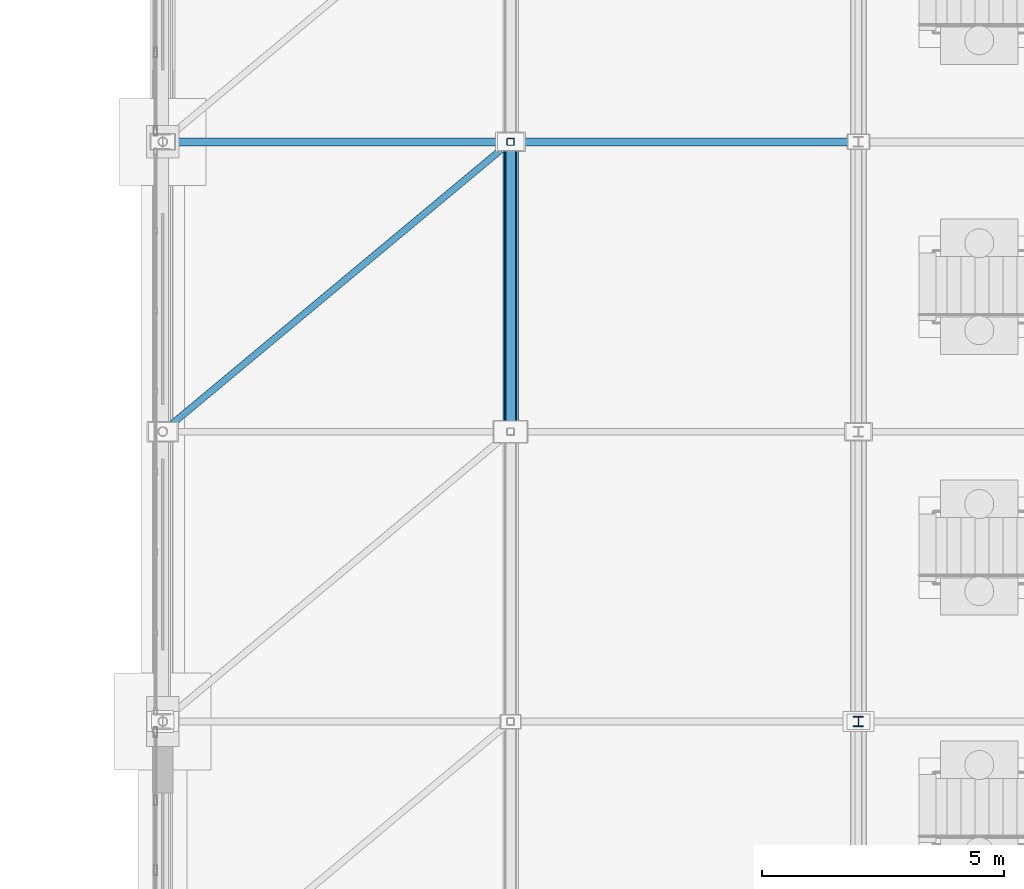
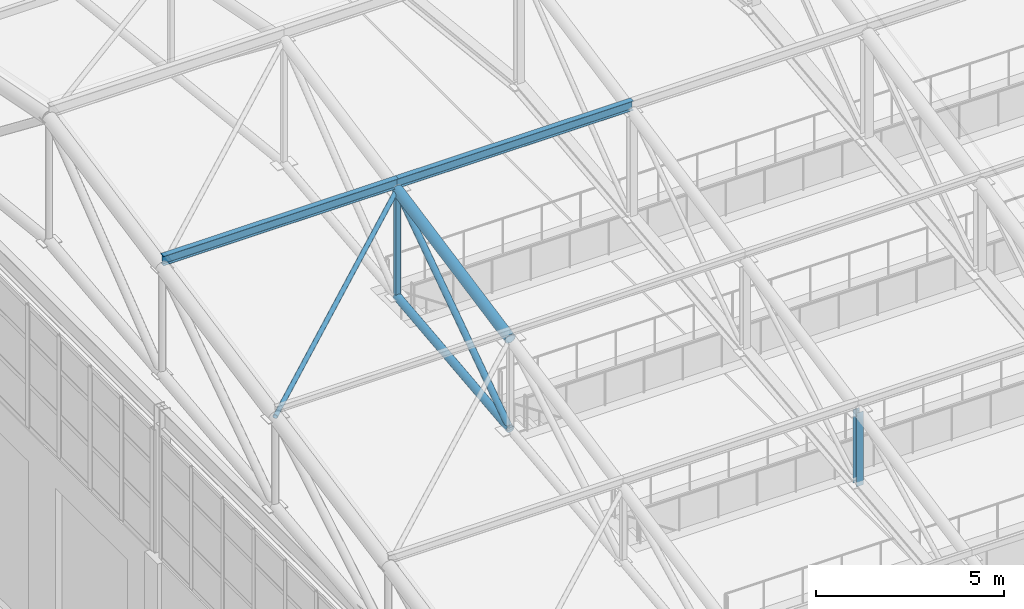
# One storey, part 118 of 293: 8 members.
"""IFC4 building model written with IfcOpenShell, lengths in metres."""

from ifc_helpers import new_model, si_unit, direction, frame, origin, origin_2d, place, context, subcontext, project, spatial, hollow_rectangle, hollow_circle, i_section, extrude, material, material_profile, profile_set, type_object, element, save


model = new_model("IFC4")

# Units and contexts
model_context = context("Model", 3, precision=1e-05, world=origin(), true_north=direction((0.0, 1.0)))
body_context = subcontext(model_context, "Body", "Model", "MODEL_VIEW")
ifc_project = project(units=[si_unit("LENGTHUNIT", "METRE"), si_unit("AREAUNIT", "SQUARE_METRE"), si_unit("VOLUMEUNIT", "CUBIC_METRE"), si_unit("PLANEANGLEUNIT", "RADIAN"), si_unit("MASSUNIT", "GRAM", prefix="KILO")], contexts=[model_context])

# Site, building, storey
site_placement = place(None, origin())
site = spatial("IfcSite", under=ifc_project, at=site_placement, CompositionType="ELEMENT")
building_placement = place(site_placement, origin())
building = spatial("IfcBuilding", under=site, at=building_placement, Name="Kemerveld Promenade Tramway Depot", CompositionType="ELEMENT")
storey_placement = place(building_placement, origin())
storey = spatial("IfcBuildingStorey", under=building, at=storey_placement, Name="L00", CompositionType="ELEMENT", Elevation=0.0)

# Members
ifc_material = material(Name="Steel S355", Category="steel")
ifc_material_profile_1 = material_profile(ifc_material, i_section(OverallWidth=0.165771484375, OverallDepth=0.306640625, WebThickness=0.006591796875, FlangeThickness=0.01171875, FilletRadius=0.0087890625, at=origin_2d()), Name="305x165x46 UB")
ifc_profile_set_1 = profile_set([ifc_material_profile_1], Name="Steel S355")
member_type_1 = type_object("IfcMemberType", Name="MB-M06", PredefinedType="PURLIN", material=ifc_profile_set_1)
for number, where, z_axis, x_axis, name in (
    (1, (36.0, 108.0, 16.14501953125), (1.0, 0.0, 0.0), (0.0, 1.0, 0.0), "PUR-V1-04-06"),
    (2, (43.199951171875, 108.0, 16.14501953125), (1.0, 0.0, 0.0), (0.0, 1.0, 0.0), "PUR-V1-04-07"),
):
    element("IfcMember", number, at=place(storey_placement, frame(where, z_axis=z_axis, x_axis=x_axis)), inside=storey, type_object=member_type_1, Name=name, PredefinedType="PURLIN", context=body_context, shape_type="SweptSolid", body=[
        extrude(i_section(OverallWidth=0.165771484375, OverallDepth=0.306640625, WebThickness=0.006591796875, FlangeThickness=0.01171875, FilletRadius=0.0087890625, at=origin_2d()), origin(), (0.0, 0.0, 1.0), 7.199951171875),
    ])
ifc_material_profile_2 = material_profile(ifc_material, hollow_circle(Radius=0.096923828125, WallThickness=0.008056640625, at=origin_2d()), Name="193.7x8.0 CHS")
ifc_profile_set_2 = profile_set([ifc_material_profile_2], Name="Steel S355")
member_type_2 = type_object("IfcMemberType", Name="MB-TB2", PredefinedType="BRACE", material=ifc_profile_set_2)
member_1_placement = place(storey_placement, frame((43.199951171875, 102.0, 11.780029296875), z_axis=(0.0, 0.824370638462, 0.566050395673), x_axis=(-1.0, 0.0, 0.0)))
element("IfcMember", 3, at=member_1_placement, inside=storey, type_object=member_type_2, Name="TR-07-DG-04", PredefinedType="BRACE", context=body_context, shape_type="SweptSolid", body=[
    extrude(hollow_circle(Radius=0.096923828125, WallThickness=0.008056640625, at=origin_2d()), origin(), (0.0, 0.0, 1.0), 7.2783203125),
])
ifc_material_profile_3 = material_profile(ifc_material, hollow_circle(Radius=0.06982421875, WallThickness=0.00634765625, at=origin_2d()), Name="139.7x6.3 CHS")
ifc_profile_set_3 = profile_set([ifc_material_profile_3], Name="Steel S355")
member_type_3 = type_object("IfcMemberType", Name="MB-TB3", PredefinedType="BRACE", material=ifc_profile_set_3)
member_2_placement = place(storey_placement, frame((36.0, 102.0, 14.699951171875), z_axis=(0.761999094998, 0.635003552225, 0.126995542773), x_axis=(-0.640186961885, 0.768219144407, 0.0)))
element("IfcMember", 4, at=member_2_placement, inside=storey, type_object=member_type_3, Name="RBR-V1-03-06", PredefinedType="BRACE", context=body_context, shape_type="SweptSolid", body=[
    extrude(hollow_circle(Radius=0.06982421875, WallThickness=0.00634765625, at=origin_2d()), origin(), (0.0, 0.0, 1.0), 9.44873046875),
])
ifc_material_profile_4 = material_profile(ifc_material, hollow_circle(Radius=0.161865234375, WallThickness=0.012451171875, at=origin_2d()), Name="323.9x12.5 CHS")
ifc_profile_set_4 = profile_set([ifc_material_profile_4], Name="Steel S355")
member_type_4 = type_object("IfcMemberType", Name="MB-TC2", PredefinedType="CHORD", material=ifc_profile_set_4)
member_3_placement = place(storey_placement, frame((43.199951171875, 102.0, 14.699951171875), z_axis=(0.0, 0.980582210276, 0.196108462057), x_axis=(-1.0, 0.0, 0.0)))
element("IfcMember", 5, at=member_3_placement, inside=storey, type_object=member_type_4, Name="TR-07-TC-04", PredefinedType="CHORD", context=body_context, shape_type="SweptSolid", body=[
    extrude(hollow_circle(Radius=0.161865234375, WallThickness=0.012451171875, at=origin_2d()), origin(), (0.0, 0.0, 1.0), 6.118896484375),
])
ifc_material_profile_5 = material_profile(ifc_material, hollow_circle(Radius=0.122314453125, WallThickness=0.010009765625, at=origin_2d()), Name="244.5x10.0 CHS")
ifc_profile_set_5 = profile_set([ifc_material_profile_5], Name="Steel S355")
member_type_5 = type_object("IfcMemberType", Name="MB-TC3", PredefinedType="CHORD", material=ifc_profile_set_5)
member_4_placement = place(storey_placement, frame((43.199951171875, 102.0, 11.780029296875), z_axis=(0.0, 0.994005938353, 0.109326092585), x_axis=(-1.0, 0.0, 0.0)))
element("IfcMember", 6, at=member_4_placement, inside=storey, type_object=member_type_5, Name="TR-07-BC-04", PredefinedType="CHORD", context=body_context, shape_type="SweptSolid", body=[
    extrude(hollow_circle(Radius=0.122314453125, WallThickness=0.010009765625, at=origin_2d()), origin(), (0.0, 0.0, 1.0), 6.0361328125),
])
ifc_material_profile_6 = material_profile(ifc_material, hollow_rectangle(XDim=0.14990234375, YDim=0.14990234375, WallThickness=0.008056640625, InnerFilletRadius=0.00390625, OuterFilletRadius=0.011962890625, at=origin_2d()), Name="150x150x8.0 SHS")
ifc_profile_set_6 = profile_set([ifc_material_profile_6], Name="Steel S355")
member_type_6 = type_object("IfcMemberType", Name="MB-TP2", PredefinedType="POST", material=ifc_profile_set_6)
member_5_placement = place(storey_placement, frame((43.199951171875, 108.0, 12.43994140625), z_axis=(0.0, 0.0, 1.0), x_axis=(1.0, 0.0, 0.0)))
element("IfcMember", 7, at=member_5_placement, inside=storey, type_object=member_type_6, Name="TR-07-VT-04", PredefinedType="POST", context=body_context, shape_type="SweptSolid", body=[
    extrude(hollow_rectangle(XDim=0.14990234375, YDim=0.14990234375, WallThickness=0.008056640625, InnerFilletRadius=0.00390625, OuterFilletRadius=0.011962890625, at=origin_2d()), origin(), (0.0, 0.0, 1.0), 3.4599609375),
])
ifc_material_profile_7 = material_profile(ifc_material, i_section(OverallWidth=0.205810546875, OverallDepth=0.209716796875, WebThickness=0.009521484375, FlangeThickness=0.01416015625, FilletRadius=0.01025390625, at=origin_2d()), Name="203x203x60 UC")
ifc_profile_set_7 = profile_set([ifc_material_profile_7], Name="Steel S355")
member_type_7 = type_object("IfcMemberType", Name="MB-TP3", PredefinedType="POST", material=ifc_profile_set_7)
member_6_placement = place(storey_placement, frame((50.39990234375, 96.0, 11.1201171875), z_axis=(0.0, 0.0, 1.0), x_axis=(1.0, 0.0, 0.0)))
element("IfcMember", 8, at=member_6_placement, inside=storey, type_object=member_type_7, Name="TR-08-VT-02", PredefinedType="POST", context=body_context, shape_type="SweptSolid", body=[
    extrude(i_section(OverallWidth=0.205810546875, OverallDepth=0.209716796875, WebThickness=0.009521484375, FlangeThickness=0.01416015625, FilletRadius=0.01025390625, at=origin_2d()), origin(), (0.0, 0.0, 1.0), 2.3798828125),
])

save(model, "model.ifc")
